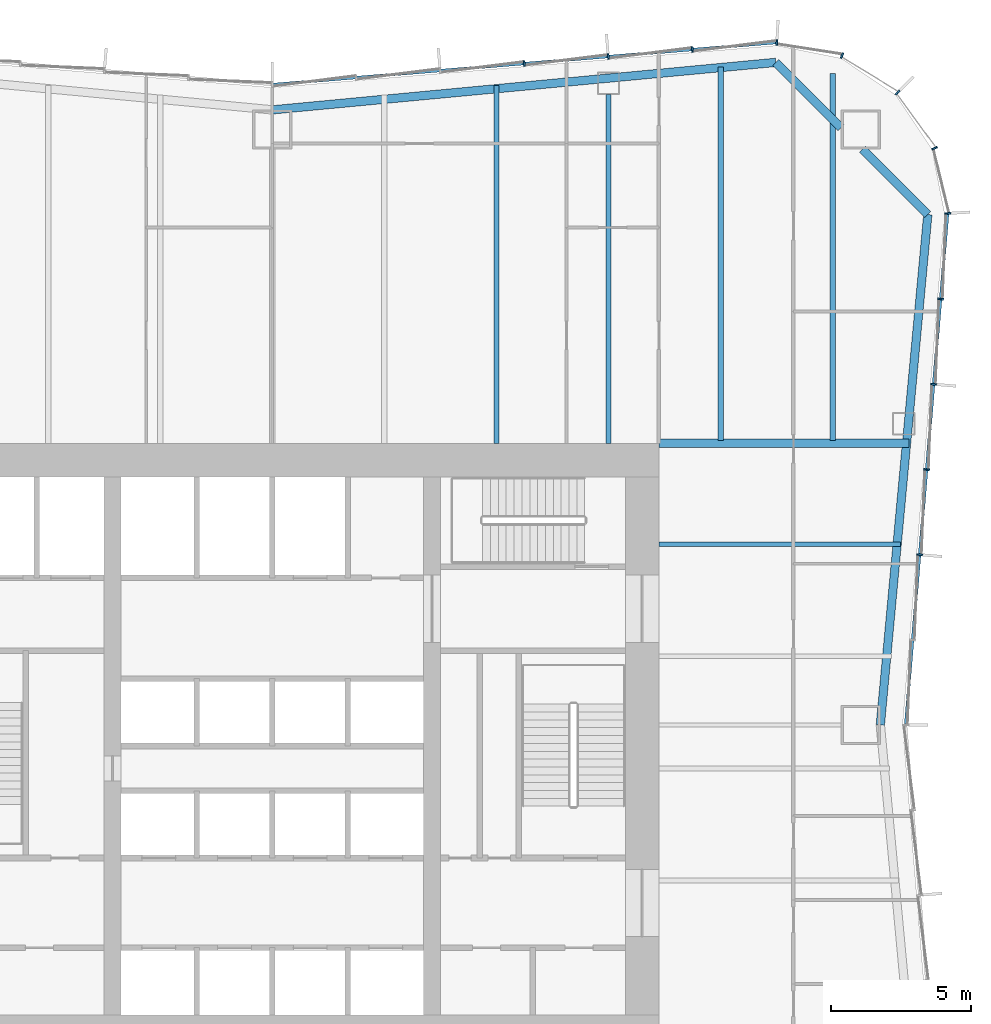
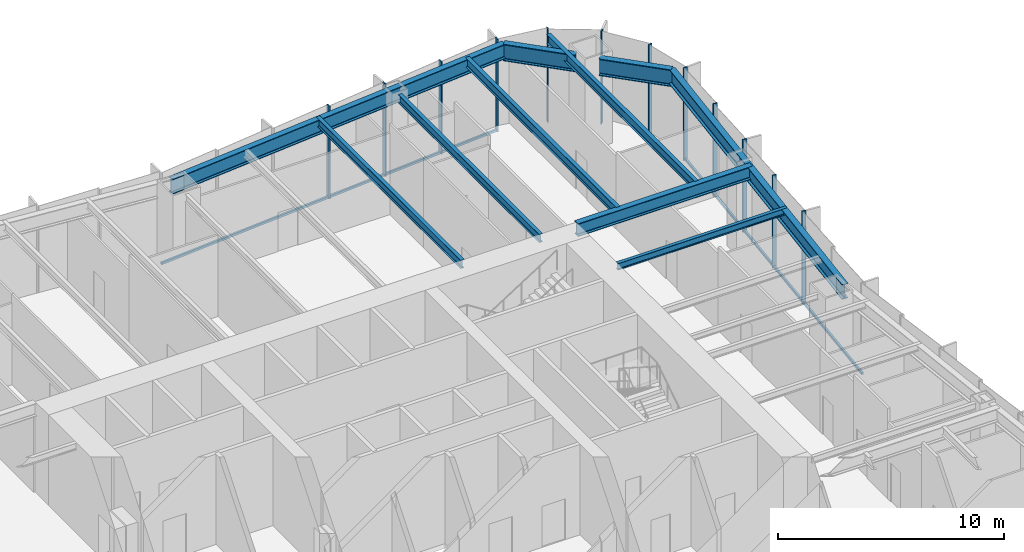
# One storey, part 6 of 15: 14 members, 10 beams, 3 elements without a shape of their own.
"""IFC4 building model written with IfcOpenShell, lengths in metres."""

from ifc_helpers import new_model, si_unit, direction, frame, origin, origin_2d, place, context, subcontext, project, spatial, rectangle, i_section, extrude, material, material_profile, profile_set, type_object, element, aggregate, save


model = new_model("IFC4")

# Units and contexts
model_context = context("Model", 3, precision=1e-05, world=origin(), true_north=direction((0.0, 1.0)))
body_context = subcontext(model_context, "Body", "Model", "MODEL_VIEW")
ifc_project = project(units=[si_unit("LENGTHUNIT", "METRE"), si_unit("AREAUNIT", "SQUARE_METRE"), si_unit("VOLUMEUNIT", "CUBIC_METRE"), si_unit("PLANEANGLEUNIT", "RADIAN"), si_unit("MASSUNIT", "GRAM", prefix="KILO")], contexts=[model_context])

# Site, building, storey
site_placement = place(None, origin())
site = spatial("IfcSite", under=ifc_project, at=site_placement, CompositionType="ELEMENT")
building_placement = place(site_placement, origin())
building = spatial("IfcBuilding", under=site, at=building_placement, Name="Verdant Reach Tower", CompositionType="ELEMENT")
storey_placement = place(building_placement, frame((0.0, 0.0, 65.0)))
storey = spatial("IfcBuildingStorey", under=building, at=storey_placement, Name="L14", CompositionType="ELEMENT", Elevation=65.0)

# Curtain wall, members
ifc_material_1 = material(Name="Anodised aluminium", Category="aluminium")
curtain_wall_type = type_object("IfcCurtainWallType", Name="EN-CW SYSTEM Z1", PredefinedType="NOTDEFINED", material=ifc_material_1)
curtain_wall_1_placement = place(storey_placement, origin())
curtain_wall_1 = element("IfcCurtainWall", 1, at=curtain_wall_1_placement, inside=storey, type_object=curtain_wall_type, Name="Curtain wall east, L14", PredefinedType="NOTDEFINED")
ifc_material_profile_1 = material_profile(ifc_material_1, rectangle(XDim=0.2060546875, YDim=0.06201171875, at=origin_2d()), Name="Mullion 62x206")
ifc_profile_set_1 = profile_set([ifc_material_profile_1], Name="Anodised aluminium")
member_type_1 = type_object("IfcMemberType", Name="EN-MULLION Z1", PredefinedType="MULLION", material=ifc_profile_set_1)
member_1_placement = place(storey_placement, frame((23.1025390625, 34.824951171875, -0.35009765625), z_axis=(0.0, 0.0, 1.0), x_axis=(0.996639273542, -0.081915556724, 0.0)))
member_1 = element("IfcMember", 2, at=member_1_placement, type_object=member_type_1, Name="Mullion east face part 2 3, L14", PredefinedType="MULLION", context=body_context, shape_type="SweptSolid", body=[
    extrude(rectangle(XDim=0.2060546875, YDim=0.06201171875, at=origin_2d()), origin(), (0.0, 0.0, 1.0), 5.0),
])
member_2_placement = place(storey_placement, frame((23.3525390625, 37.866455078125, -0.35009765625), z_axis=(0.0, 0.0, 1.0), x_axis=(0.996639273542, -0.081915556724, 0.0)))
member_2 = element("IfcMember", 3, at=member_2_placement, type_object=member_type_1, Name="Mullion east face part 2 4, L14", PredefinedType="MULLION", context=body_context, shape_type="SweptSolid", body=[
    extrude(rectangle(XDim=0.2060546875, YDim=0.06201171875, at=origin_2d()), origin(), (0.0, 0.0, 1.0), 5.0),
])
member_3_placement = place(storey_placement, frame((23.6025390625, 40.908203125, -0.35009765625), z_axis=(0.0, 0.0, 1.0), x_axis=(0.996639273542, -0.081915556724, 0.0)))
member_3 = element("IfcMember", 4, at=member_3_placement, type_object=member_type_1, Name="Mullion east face part 2 5, L14", PredefinedType="MULLION", context=body_context, shape_type="SweptSolid", body=[
    extrude(rectangle(XDim=0.2060546875, YDim=0.06201171875, at=origin_2d()), origin(), (0.0, 0.0, 1.0), 5.0),
])
member_4_placement = place(storey_placement, frame((23.8525390625, 43.949951171875, -0.35009765625), z_axis=(0.0, 0.0, 1.0), x_axis=(0.996639273542, -0.081915556724, 0.0)))
member_4 = element("IfcMember", 5, at=member_4_placement, type_object=member_type_1, Name="Mullion east face part 2 6, L14", PredefinedType="MULLION", context=body_context, shape_type="SweptSolid", body=[
    extrude(rectangle(XDim=0.2060546875, YDim=0.06201171875, at=origin_2d()), origin(), (0.0, 0.0, 1.0), 5.0),
])

curtain_wall_2_placement = place(storey_placement, origin())
curtain_wall_2 = element("IfcCurtainWall", 6, at=curtain_wall_2_placement, inside=storey, type_object=curtain_wall_type, Name="Curtain wall north-east corner, L14", PredefinedType="NOTDEFINED")
member_5_placement = place(storey_placement, frame((24.102783203125, 47.005859375, -0.35009765625), z_axis=(0.0, 0.0, 1.0), x_axis=(0.998366452275, 0.057135164055, 0.0)))
member_5 = element("IfcMember", 7, at=member_5_placement, type_object=member_type_1, Name="Mullion north-east corner 1, L14", PredefinedType="MULLION", context=body_context, shape_type="SweptSolid", body=[
    extrude(rectangle(XDim=0.2060546875, YDim=0.06201171875, at=origin_2d()), origin(), (0.0, 0.0, 1.0), 5.0),
])
member_6_placement = place(storey_placement, frame((23.638427734375, 49.33544921875, -0.35009765625), z_axis=(0.0, 0.0, 1.0), x_axis=(0.923875215753, 0.382693853776, 0.0)))
member_6 = element("IfcMember", 8, at=member_6_placement, type_object=member_type_1, Name="Mullion north-east corner 2, L14", PredefinedType="MULLION", context=body_context, shape_type="SweptSolid", body=[
    extrude(rectangle(XDim=0.2060546875, YDim=0.06201171875, at=origin_2d()), origin(), (0.0, 0.0, 1.0), 5.0),
])
member_7_placement = place(storey_placement, frame((22.3154296875, 51.3154296875, -0.35009765625), z_axis=(0.0, 0.0, 1.0), x_axis=(0.707106781187, 0.707106781187, 0.0)))
member_7 = element("IfcMember", 9, at=member_7_placement, type_object=member_type_1, Name="Mullion north-east corner 3, L14", PredefinedType="MULLION", context=body_context, shape_type="SweptSolid", body=[
    extrude(rectangle(XDim=0.2060546875, YDim=0.06201171875, at=origin_2d()), origin(), (0.0, 0.0, 1.0), 5.0),
])
member_8_placement = place(storey_placement, frame((20.33544921875, 52.638427734375, -0.35009765625), z_axis=(0.0, 0.0, 1.0), x_axis=(0.382693853776, 0.923875215753, 0.0)))
member_8 = element("IfcMember", 10, at=member_8_placement, type_object=member_type_1, Name="Mullion north-east corner 4, L14", PredefinedType="MULLION", context=body_context, shape_type="SweptSolid", body=[
    extrude(rectangle(XDim=0.2060546875, YDim=0.06201171875, at=origin_2d()), origin(), (0.0, 0.0, 1.0), 5.0),
])
aggregate(curtain_wall_2, [member_5, member_6, member_7, member_8])

curtain_wall_3_placement = place(storey_placement, origin())
curtain_wall_3 = element("IfcCurtainWall", 11, at=curtain_wall_3_placement, inside=storey, type_object=curtain_wall_type, Name="Curtain wall north, L14", PredefinedType="NOTDEFINED")
member_9_placement = place(storey_placement, frame((18.005859375, 53.102783203125, -0.35009765625), z_axis=(0.0, 0.0, 1.0), x_axis=(0.056569187765, 0.998398681387, 0.0)))
member_9 = element("IfcMember", 12, at=member_9_placement, type_object=member_type_1, Name="Mullion north face part 1 1, L14", PredefinedType="MULLION", context=body_context, shape_type="SweptSolid", body=[
    extrude(rectangle(XDim=0.2060546875, YDim=0.06201171875, at=origin_2d()), origin(), (0.0, 0.0, 1.0), 5.0),
])
member_10_placement = place(storey_placement, frame((14.991455078125, 52.8525390625, -0.35009765625), z_axis=(0.0, 0.0, 1.0), x_axis=(-0.083045479859, 0.996545758244, 0.0)))
member_10 = element("IfcMember", 13, at=member_10_placement, type_object=member_type_1, Name="Mullion north face part 1 2, L14", PredefinedType="MULLION", context=body_context, shape_type="SweptSolid", body=[
    extrude(rectangle(XDim=0.2060546875, YDim=0.06201171875, at=origin_2d()), origin(), (0.0, 0.0, 1.0), 5.0),
])
member_11_placement = place(storey_placement, frame((11.991455078125, 52.6025390625, -0.35009765625), z_axis=(0.0, 0.0, 1.0), x_axis=(-0.083045479859, 0.996545758244, 0.0)))
member_11 = element("IfcMember", 14, at=member_11_placement, type_object=member_type_1, Name="Mullion north face part 1 3, L14", PredefinedType="MULLION", context=body_context, shape_type="SweptSolid", body=[
    extrude(rectangle(XDim=0.2060546875, YDim=0.06201171875, at=origin_2d()), origin(), (0.0, 0.0, 1.0), 5.0),
])
member_12_placement = place(storey_placement, frame((8.991455078125, 52.3525390625, -0.35009765625), z_axis=(0.0, 0.0, 1.0), x_axis=(-0.083045479859, 0.996545758244, 0.0)))
member_12 = element("IfcMember", 15, at=member_12_placement, type_object=member_type_1, Name="Mullion north face part 1 4, L14", PredefinedType="MULLION", context=body_context, shape_type="SweptSolid", body=[
    extrude(rectangle(XDim=0.2060546875, YDim=0.06201171875, at=origin_2d()), origin(), (0.0, 0.0, 1.0), 5.0),
])

# Member
ifc_material_profile_2 = material_profile(ifc_material_1, rectangle(XDim=0.10009765625, YDim=0.1220703125, at=origin_2d()), Name="Transom 122x100")
ifc_profile_set_2 = profile_set([ifc_material_profile_2], Name="Anodised aluminium")
member_type_2 = type_object("IfcMemberType", Name="EN-TRANSOM Z1", PredefinedType="USERDEFINED", material=ifc_profile_set_2)
member_13_placement = place(storey_placement, frame((22.60546875, 28.781005859375, -0.2890625), z_axis=(0.081886623329, 0.996641651207, 0.0), x_axis=(-0.996641651207, 0.081886623329, 0.0)))
member_13 = element("IfcMember", 16, at=member_13_placement, type_object=member_type_2, Name="Transom east face part 2 1.1, L14", ObjectType="TRANSOM", PredefinedType="USERDEFINED", context=body_context, shape_type="SweptSolid", body=[
    extrude(rectangle(XDim=0.10009765625, YDim=0.1220703125, at=origin_2d()), origin(), (0.0, 0.0, 1.0), 18.25537109375),
])

aggregate(curtain_wall_1, [member_1, member_2, member_3, member_4, member_13])

member_14_placement = place(storey_placement, frame((17.974853515625, 53.100341796875, -0.2890625), z_axis=(-0.996547815143, -0.083020793384, 0.0), x_axis=(0.083020793384, -0.996547815143, 0.0)))
member_14 = element("IfcMember", 17, at=member_14_placement, type_object=member_type_2, Name="Transom north face part 1 1.1, L14", ObjectType="TRANSOM", PredefinedType="USERDEFINED", context=body_context, shape_type="SweptSolid", body=[
    extrude(rectangle(XDim=0.10009765625, YDim=0.1220703125, at=origin_2d()), origin(), (0.0, 0.0, 1.0), 18.006103515625),
])

aggregate(curtain_wall_3, [member_9, member_10, member_11, member_12, member_14])

# Beams
ifc_material_2 = material(Name="Steel S355", Category="steel")
ifc_material_profile_3 = material_profile(ifc_material_2, i_section(OverallWidth=0.300048828125, OverallDepth=0.699951171875, WebThickness=0.01708984375, FlangeThickness=0.031982421875, FilletRadius=0.027099609375, at=origin_2d()), Name="HEB 700")
ifc_profile_set_3 = profile_set([ifc_material_profile_3], Name="Steel S355")
beam_type_1 = type_object("IfcBeamType", Name="ST-BEAM-HEB700", PredefinedType="BEAM", material=ifc_profile_set_3)
beam_1_placement = place(storey_placement, frame((13.800048828125, 38.800048828125, 4.52001953125), z_axis=(1.0, 0.0, 0.0), x_axis=(0.0, 1.0, 0.0)))
element("IfcBeam", 18, at=beam_1_placement, inside=storey, type_object=beam_type_1, Name="Trimmer beam, L14", PredefinedType="BEAM", context=body_context, shape_type="SweptSolid", body=[
    extrude(i_section(OverallWidth=0.300048828125, OverallDepth=0.699951171875, WebThickness=0.01708984375, FlangeThickness=0.031982421875, FilletRadius=0.027099609375, at=origin_2d()), origin(), (0.0, 0.0, 1.0), 8.924072265625),
])
ifc_material_profile_4 = material_profile(ifc_material_2, i_section(OverallWidth=0.169921875, OverallDepth=0.360107421875, WebThickness=0.008056640625, FlangeThickness=0.0126953125, FilletRadius=0.01806640625, at=origin_2d()), Name="IPE 360")
ifc_profile_set_4 = profile_set([ifc_material_profile_4], Name="Steel S355")
beam_type_2 = type_object("IfcBeamType", Name="ST-JOIST-IPE360", PredefinedType="JOIST", material=ifc_profile_set_4)
beam_2_placement = place(storey_placement, frame((13.800048828125, 35.199951171875, 4.68994140625), z_axis=(1.0, 0.0, 0.0), x_axis=(0.0, 1.0, 0.0)))
element("IfcBeam", 19, at=beam_2_placement, inside=storey, type_object=beam_type_2, Name="Floor joist, L14", PredefinedType="JOIST", context=body_context, shape_type="SweptSolid", body=[
    extrude(i_section(OverallWidth=0.169921875, OverallDepth=0.360107421875, WebThickness=0.008056640625, FlangeThickness=0.0126953125, FilletRadius=0.01806640625, at=origin_2d()), origin(), (0.0, 0.0, 1.0), 8.6279296875),
])
ifc_material_profile_5 = material_profile(ifc_material_2, i_section(OverallWidth=0.18994140625, OverallDepth=0.449951171875, WebThickness=0.009521484375, FlangeThickness=0.0146484375, FilletRadius=0.02099609375, at=origin_2d()), Name="IPE 450")
ifc_profile_set_5 = profile_set([ifc_material_profile_5], Name="Steel S355")
beam_type_3 = type_object("IfcBeamType", Name="ST-JOIST-IPE450", PredefinedType="JOIST", material=ifc_profile_set_5)
beam_3_placement = place(storey_placement, frame((8.0, 38.800048828125, 4.64501953125), z_axis=(0.0, 1.0, 0.0), x_axis=(-1.0, 0.0, 0.0)))
element("IfcBeam", 20, at=beam_3_placement, inside=storey, type_object=beam_type_3, Name="Floor joist, L14", PredefinedType="JOIST", context=body_context, shape_type="SweptSolid", body=[
    extrude(i_section(OverallWidth=0.18994140625, OverallDepth=0.449951171875, WebThickness=0.009521484375, FlangeThickness=0.0146484375, FilletRadius=0.02099609375, at=origin_2d()), origin(), (0.0, 0.0, 1.0), 12.7646484375),
])
beam_4_placement = place(storey_placement, frame((12.0, 38.800048828125, 4.64501953125), z_axis=(0.0, 1.0, 0.0), x_axis=(-1.0, 0.0, 0.0)))
element("IfcBeam", 21, at=beam_4_placement, inside=storey, type_object=beam_type_3, Name="Floor joist, L14", PredefinedType="JOIST", context=body_context, shape_type="SweptSolid", body=[
    extrude(i_section(OverallWidth=0.18994140625, OverallDepth=0.449951171875, WebThickness=0.009521484375, FlangeThickness=0.0146484375, FilletRadius=0.02099609375, at=origin_2d()), origin(), (0.0, 0.0, 1.0), 12.449951171875),
])
ifc_material_profile_6 = material_profile(ifc_material_2, i_section(OverallWidth=0.199951171875, OverallDepth=0.5, WebThickness=0.01025390625, FlangeThickness=0.01611328125, FilletRadius=0.02099609375, at=origin_2d()), Name="IPE 500")
ifc_profile_set_6 = profile_set([ifc_material_profile_6], Name="Steel S355")
beam_type_4 = type_object("IfcBeamType", Name="ST-JOIST-IPE500", PredefinedType="JOIST", material=ifc_profile_set_6)
beam_5_placement = place(storey_placement, frame((16.0, 38.89990234375, 4.6201171875), z_axis=(0.0, 1.0, 0.0), x_axis=(-1.0, 0.0, 0.0)))
element("IfcBeam", 22, at=beam_5_placement, inside=storey, type_object=beam_type_4, Name="Floor joist, L14", PredefinedType="JOIST", context=body_context, shape_type="SweptSolid", body=[
    extrude(i_section(OverallWidth=0.199951171875, OverallDepth=0.5, WebThickness=0.01025390625, FlangeThickness=0.01611328125, FilletRadius=0.02099609375, at=origin_2d()), origin(), (0.0, 0.0, 1.0), 13.331298828125),
])
beam_6_placement = place(storey_placement, frame((20.0, 38.89990234375, 4.6201171875), z_axis=(0.0, 1.0, 0.0), x_axis=(-1.0, 0.0, 0.0)))
element("IfcBeam", 23, at=beam_6_placement, inside=storey, type_object=beam_type_4, Name="Floor joist, L14", PredefinedType="JOIST", context=body_context, shape_type="SweptSolid", body=[
    extrude(i_section(OverallWidth=0.199951171875, OverallDepth=0.5, WebThickness=0.01025390625, FlangeThickness=0.01611328125, FilletRadius=0.02099609375, at=origin_2d()), origin(), (0.0, 0.0, 1.0), 13.090576171875),
])
ifc_material_profile_7 = material_profile(ifc_material_2, i_section(OverallWidth=0.300048828125, OverallDepth=0.800048828125, WebThickness=0.017578125, FlangeThickness=0.032958984375, FilletRadius=0.030029296875, at=origin_2d()), Name="HEB 800")
ifc_profile_set_7 = profile_set([ifc_material_profile_7], Name="Steel S355")
beam_type_5 = type_object("IfcBeamType", Name="ST-SPANDREL-HEB800", PredefinedType="SPANDREL", material=ifc_profile_set_7)
beam_7_placement = place(storey_placement, frame((0.0, 50.699951171875, 4.469970703125), z_axis=(0.995578571765, 0.093932462137, 0.0), x_axis=(-0.093932462137, 0.995578571765, 0.0)))
element("IfcBeam", 24, at=beam_7_placement, inside=storey, type_object=beam_type_5, Name="Edge beam, L14", PredefinedType="SPANDREL", context=body_context, shape_type="SweptSolid", body=[
    extrude(i_section(OverallWidth=0.300048828125, OverallDepth=0.800048828125, WebThickness=0.017578125, FlangeThickness=0.032958984375, FilletRadius=0.030029296875, at=origin_2d()), origin(), (0.0, 0.0, 1.0), 18.045654296875),
])
beam_8_placement = place(storey_placement, frame((23.39501953125, 46.96533203125, 4.469970703125), z_axis=(-0.092656907618, -0.995698095544, 0.0), x_axis=(0.995698095544, -0.092656907618, 0.0)))
element("IfcBeam", 25, at=beam_8_placement, inside=storey, type_object=beam_type_5, Name="Edge beam, L14", PredefinedType="SPANDREL", context=body_context, shape_type="SweptSolid", body=[
    extrude(i_section(OverallWidth=0.300048828125, OverallDepth=0.800048828125, WebThickness=0.017578125, FlangeThickness=0.032958984375, FilletRadius=0.030029296875, at=origin_2d()), origin(), (0.0, 0.0, 1.0), 18.2939453125),
])
ifc_material_profile_8 = material_profile(ifc_material_2, i_section(OverallWidth=0.302001953125, OverallDepth=0.909912109375, WebThickness=0.02099609375, FlangeThickness=0.0400390625, FilletRadius=0.030029296875, at=origin_2d()), Name="HEM 900")
ifc_profile_set_8 = profile_set([ifc_material_profile_8], Name="Steel S355")
beam_type_6 = type_object("IfcBeamType", Name="ST-SPANDREL-HEM900", PredefinedType="SPANDREL", material=ifc_profile_set_8)
beam_9_placement = place(storey_placement, frame((17.9658203125, 52.39501953125, 4.4150390625), z_axis=(0.707106781187, -0.707106781187, 0.0), x_axis=(0.707106781187, 0.707106781187, 0.0)))
element("IfcBeam", 26, at=beam_9_placement, inside=storey, type_object=beam_type_6, Name="Edge beam, L14", PredefinedType="SPANDREL", context=body_context, shape_type="SweptSolid", body=[
    extrude(i_section(OverallWidth=0.302001953125, OverallDepth=0.909912109375, WebThickness=0.02099609375, FlangeThickness=0.0400390625, FilletRadius=0.030029296875, at=origin_2d()), origin(), (0.0, 0.0, 1.0), 3.301025390625),
])
beam_10_placement = place(storey_placement, frame((21.060546875, 49.300048828125, 4.4150390625), z_axis=(0.707069807316, -0.707143753123, 0.0), x_axis=(0.707143753123, 0.707069807316, 0.0)))
element("IfcBeam", 27, at=beam_10_placement, inside=storey, type_object=beam_type_6, Name="Edge beam, L14", PredefinedType="SPANDREL", context=body_context, shape_type="SweptSolid", body=[
    extrude(i_section(OverallWidth=0.302001953125, OverallDepth=0.909912109375, WebThickness=0.02099609375, FlangeThickness=0.0400390625, FilletRadius=0.030029296875, at=origin_2d()), origin(), (0.0, 0.0, 1.0), 3.301513671875),
])

save(model, "model.ifc")
